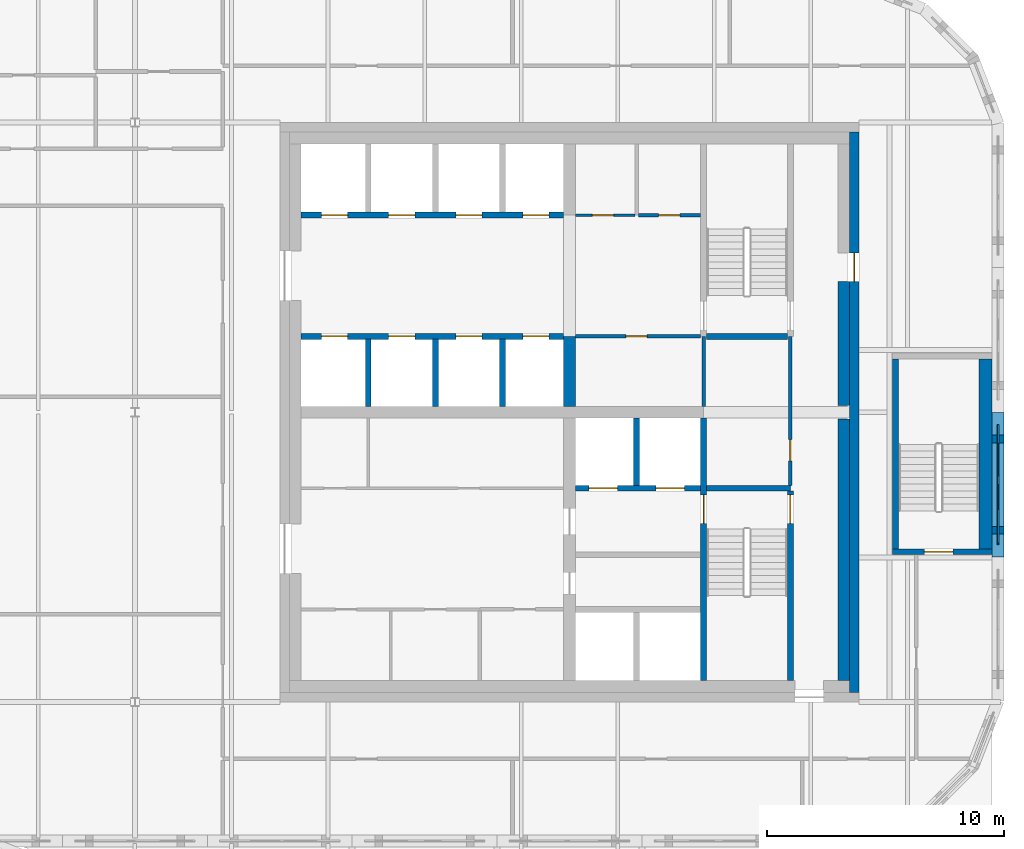
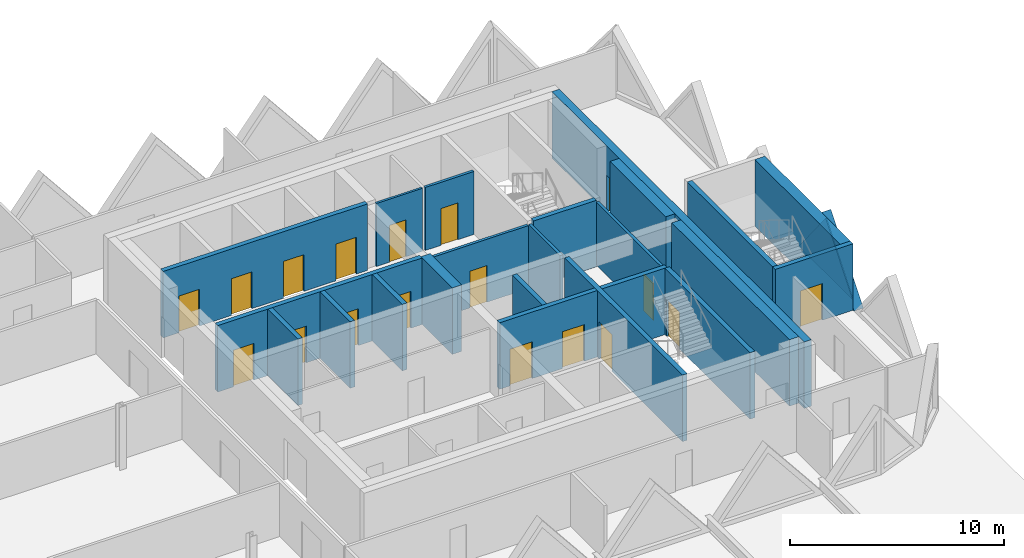
# One storey, part 8 of 12: 24 walls, 18 doors, 1 plate, 19 openings.
"""IFC4 building model written with IfcOpenShell, lengths in metres."""

from ifc_helpers import new_model, si_unit, direction, frame, frame_2d, origin, place, context, subcontext, project, spatial, polyline, rectangle, outline, extrude, source, transform, mapped, material, layer, layer_set, type_object, element, fill, save


model = new_model("IFC4")

# Units and contexts
model_context = context("Model", 3, precision=1e-05, world=origin(), true_north=direction((0.0, 1.0)))
body_context = subcontext(model_context, "Body", "Model", "MODEL_VIEW")
ifc_project = project(units=[si_unit("LENGTHUNIT", "METRE"), si_unit("AREAUNIT", "SQUARE_METRE"), si_unit("VOLUMEUNIT", "CUBIC_METRE"), si_unit("PLANEANGLEUNIT", "RADIAN"), si_unit("MASSUNIT", "GRAM", prefix="KILO")], contexts=[model_context])

# Site, building, storey
site_placement = place(None, origin())
site = spatial("IfcSite", under=ifc_project, at=site_placement, CompositionType="ELEMENT")
building_placement = place(site_placement, origin())
building = spatial("IfcBuilding", under=site, at=building_placement, Name="Tessera Gate Towers", CompositionType="ELEMENT")
storey_placement = place(building_placement, frame((0.0, 0.0, 236.89990234375)))
storey = spatial("IfcBuildingStorey", under=building, at=storey_placement, Name="L59", CompositionType="ELEMENT", Elevation=236.89990234375)

# Wall, openings, doors
ifc_material_1 = material(Name="Concrete C40/50", Category="concrete")
ifc_layer_1 = layer(ifc_material_1, 0.25)
ifc_layer_set_1 = layer_set([ifc_layer_1], Name="CORE ENCLOSURE WALL 250")
wall_type_1 = type_object("IfcWallType", Name="CORE ENCLOSURE WALL 250", PredefinedType="SOLIDWALL", material=ifc_layer_set_1)
wall_1_placement = place(storey_placement, frame((31.39990234375, 39.800048828125, 0.0), z_axis=(0.0, 0.0, 1.0), x_axis=(1.0, 0.0, 0.0)))
wall_1 = element("IfcWall", 1, at=wall_1_placement, inside=storey, type_object=wall_type_1, Name="L59 shaft and stair enclosure wall", PredefinedType="SOLIDWALL", context=body_context, shape_type="SweptSolid", body=[
    extrude(rectangle(XDim=11.050048828125, YDim=0.25, at=frame_2d((5.52490234375, 0.0))), origin(), (0.0, 0.0, 1.0), 3.800048828125),
])
shared_shape_1 = source(origin(), body_context, "Body", "SweptSolid", [
    extrude(rectangle(XDim=1.10009765625, YDim=2.10009765625, at=frame_2d((0.550048828125, 1.050048828125))), frame((0.0, 0.135009765625, 0.0), z_axis=(0.0, -1.0, 0.0), x_axis=(1.0, 0.0, 0.0)), (0.0, 0.0, 1.0), 0.27001953125),
])
opening_1_placement = place(wall_1_placement, frame((0.862548828125, 0.0, 0.0)))
opening_1 = element("IfcOpeningElement", 2, at=opening_1_placement, cuts=wall_1, Name="Opening LD-HR1", PredefinedType="OPENING", context=body_context, shape_type="MappedRepresentation", body=[
    mapped(shared_shape_1, transform((0.0, 0.0, 0.0), scale=1.0)),
])
opening_2_placement = place(wall_1_placement, frame((3.6875, 0.0, 0.0)))
opening_2 = element("IfcOpeningElement", 3, at=opening_2_placement, cuts=wall_1, Name="Opening LD-HR2", PredefinedType="OPENING", context=body_context, shape_type="MappedRepresentation", body=[
    mapped(shared_shape_1, transform((0.0, 0.0, 0.0), scale=1.0)),
])
opening_3_placement = place(wall_1_placement, frame((6.512451171875, 0.0, 0.0)))
opening_3 = element("IfcOpeningElement", 4, at=opening_3_placement, cuts=wall_1, Name="Opening LD-HR3", PredefinedType="OPENING", context=body_context, shape_type="MappedRepresentation", body=[
    mapped(shared_shape_1, transform((0.0, 0.0, 0.0), scale=1.0)),
])
opening_4_placement = place(wall_1_placement, frame((9.33740234375, 0.0, 0.0)))
opening_4 = element("IfcOpeningElement", 5, at=opening_4_placement, cuts=wall_1, Name="Opening LD-HR4", PredefinedType="OPENING", context=body_context, shape_type="MappedRepresentation", body=[
    mapped(shared_shape_1, transform((0.0, 0.0, 0.0), scale=1.0)),
])
ifc_material_2 = material(Name="Stainless steel", Category="steel")
door_type_1 = type_object("IfcDoorType", Name="CORE DOOR LD 1100x2100", OperationType="DOUBLE_DOOR_SLIDING", PredefinedType="DOOR", material=ifc_material_2)
shared_shape_2 = source(origin(), body_context, "Body", "SweptSolid", [
    extrude(rectangle(XDim=1.10009765625, YDim=2.10009765625, at=frame_2d((0.550048828125, 1.050048828125))), frame((0.0, 0.02490234375, 0.0), z_axis=(0.0, -1.0, 0.0), x_axis=(1.0, 0.0, 0.0)), (0.0, 0.0, 1.0), 0.050048828125),
])
door_1_placement = place(opening_1_placement, origin())
door_1 = element("IfcDoor", 6, at=door_1_placement, inside=storey, type_object=door_type_1, Name="Landing door HR1 L59", OperationType="DOUBLE_DOOR_SLIDING", OverallHeight=2.10009765625, OverallWidth=1.10009765625, PredefinedType="DOOR", context=body_context, shape_type="MappedRepresentation", body=[
    mapped(shared_shape_2, transform((0.0, 0.0, 0.0), scale=1.0)),
])
fill(opening_1, door_1)
door_2_placement = place(opening_2_placement, origin())
door_2 = element("IfcDoor", 7, at=door_2_placement, inside=storey, type_object=door_type_1, Name="Landing door HR2 L59", OperationType="DOUBLE_DOOR_SLIDING", OverallHeight=2.10009765625, OverallWidth=1.10009765625, PredefinedType="DOOR", context=body_context, shape_type="MappedRepresentation", body=[
    mapped(shared_shape_2, transform((0.0, 0.0, 0.0), scale=1.0)),
])
fill(opening_2, door_2)
door_3_placement = place(opening_3_placement, origin())
door_3 = element("IfcDoor", 8, at=door_3_placement, inside=storey, type_object=door_type_1, Name="Landing door HR3 L59", OperationType="DOUBLE_DOOR_SLIDING", OverallHeight=2.10009765625, OverallWidth=1.10009765625, PredefinedType="DOOR", context=body_context, shape_type="MappedRepresentation", body=[
    mapped(shared_shape_2, transform((0.0, 0.0, 0.0), scale=1.0)),
])
fill(opening_3, door_3)
door_4_placement = place(opening_4_placement, origin())
door_4 = element("IfcDoor", 9, at=door_4_placement, inside=storey, type_object=door_type_1, Name="Landing door HR4 L59", OperationType="DOUBLE_DOOR_SLIDING", OverallHeight=2.10009765625, OverallWidth=1.10009765625, PredefinedType="DOOR", context=body_context, shape_type="MappedRepresentation", body=[
    mapped(shared_shape_2, transform((0.0, 0.0, 0.0), scale=1.0)),
])
fill(opening_4, door_4)

wall_2_placement = place(storey_placement, frame((42.449951171875, 44.89990234375, 0.0), z_axis=(0.0, 0.0, 1.0), x_axis=(-1.0, 0.0, 0.0)))
wall_2 = element("IfcWall", 10, at=wall_2_placement, inside=storey, type_object=wall_type_1, Name="L59 shaft and stair enclosure wall", PredefinedType="SOLIDWALL", context=body_context, shape_type="SweptSolid", body=[
    extrude(rectangle(XDim=11.050048828125, YDim=0.25, at=frame_2d((5.52490234375, 0.0))), origin(), (0.0, 0.0, 1.0), 3.800048828125),
])
opening_5_placement = place(wall_2_placement, frame((9.08740234375, 0.0, 0.0)))
opening_5 = element("IfcOpeningElement", 11, at=opening_5_placement, cuts=wall_2, Name="Opening LD-HR5", PredefinedType="OPENING", context=body_context, shape_type="MappedRepresentation", body=[
    mapped(shared_shape_1, transform((0.0, 0.0, 0.0), scale=1.0)),
])
opening_6_placement = place(wall_2_placement, frame((6.262451171875, 0.0, 0.0)))
opening_6 = element("IfcOpeningElement", 12, at=opening_6_placement, cuts=wall_2, Name="Opening LD-HR6", PredefinedType="OPENING", context=body_context, shape_type="MappedRepresentation", body=[
    mapped(shared_shape_1, transform((0.0, 0.0, 0.0), scale=1.0)),
])
opening_7_placement = place(wall_2_placement, frame((3.4375, 0.0, 0.0)))
opening_7 = element("IfcOpeningElement", 13, at=opening_7_placement, cuts=wall_2, Name="Opening LD-HR7", PredefinedType="OPENING", context=body_context, shape_type="MappedRepresentation", body=[
    mapped(shared_shape_1, transform((0.0, 0.0, 0.0), scale=1.0)),
])
opening_8_placement = place(wall_2_placement, frame((0.612548828125, 0.0, 0.0)))
opening_8 = element("IfcOpeningElement", 14, at=opening_8_placement, cuts=wall_2, Name="Opening LD-HR8", PredefinedType="OPENING", context=body_context, shape_type="MappedRepresentation", body=[
    mapped(shared_shape_1, transform((0.0, 0.0, 0.0), scale=1.0)),
])
door_5_placement = place(opening_5_placement, origin())
door_5 = element("IfcDoor", 15, at=door_5_placement, inside=storey, type_object=door_type_1, Name="Landing door HR5 L59", OperationType="DOUBLE_DOOR_SLIDING", OverallHeight=2.10009765625, OverallWidth=1.10009765625, PredefinedType="DOOR", context=body_context, shape_type="MappedRepresentation", body=[
    mapped(shared_shape_2, transform((0.0, 0.0, 0.0), scale=1.0)),
])
fill(opening_5, door_5)
door_6_placement = place(opening_6_placement, origin())
door_6 = element("IfcDoor", 16, at=door_6_placement, inside=storey, type_object=door_type_1, Name="Landing door HR6 L59", OperationType="DOUBLE_DOOR_SLIDING", OverallHeight=2.10009765625, OverallWidth=1.10009765625, PredefinedType="DOOR", context=body_context, shape_type="MappedRepresentation", body=[
    mapped(shared_shape_2, transform((0.0, 0.0, 0.0), scale=1.0)),
])
fill(opening_6, door_6)
door_7_placement = place(opening_7_placement, origin())
door_7 = element("IfcDoor", 17, at=door_7_placement, inside=storey, type_object=door_type_1, Name="Landing door HR7 L59", OperationType="DOUBLE_DOOR_SLIDING", OverallHeight=2.10009765625, OverallWidth=1.10009765625, PredefinedType="DOOR", context=body_context, shape_type="MappedRepresentation", body=[
    mapped(shared_shape_2, transform((0.0, 0.0, 0.0), scale=1.0)),
])
fill(opening_7, door_7)
door_8_placement = place(opening_8_placement, origin())
door_8 = element("IfcDoor", 18, at=door_8_placement, inside=storey, type_object=door_type_1, Name="Landing door HR8 L59", OperationType="DOUBLE_DOOR_SLIDING", OverallHeight=2.10009765625, OverallWidth=1.10009765625, PredefinedType="DOOR", context=body_context, shape_type="MappedRepresentation", body=[
    mapped(shared_shape_2, transform((0.0, 0.0, 0.0), scale=1.0)),
])
fill(opening_8, door_8)

# Wall, opening, door
wall_3_placement = place(storey_placement, frame((48.35009765625, 36.35009765625, 0.0), z_axis=(0.0, 0.0, 1.0), x_axis=(0.0, -1.0, 0.0)))
wall_3 = element("IfcWall", 19, at=wall_3_placement, inside=storey, type_object=wall_type_1, Name="L59 shaft and stair enclosure wall", PredefinedType="SOLIDWALL", context=body_context, shape_type="SweptSolid", body=[
    extrude(rectangle(XDim=11.050048828125, YDim=0.25, at=frame_2d((5.52490234375, 0.0))), origin(), (0.0, 0.0, 1.0), 3.800048828125),
])
shared_shape_3 = source(origin(), body_context, "Body", "SweptSolid", [
    extrude(rectangle(XDim=1.199951171875, YDim=2.10009765625, at=frame_2d((0.60009765625, 1.050048828125))), frame((0.0, 0.135009765625, 0.0), z_axis=(0.0, -1.0, 0.0), x_axis=(1.0, 0.0, 0.0)), (0.0, 0.0, 1.0), 0.27001953125),
])
opening_9_placement = place(wall_3_placement, frame((3.22509765625, 0.0, 0.0)))
opening_9 = element("IfcOpeningElement", 20, at=opening_9_placement, cuts=wall_3, Name="Opening SD-ST1-1", PredefinedType="OPENING", context=body_context, shape_type="MappedRepresentation", body=[
    mapped(shared_shape_3, transform((0.0, 0.0, 0.0), scale=1.0)),
])
ifc_material_3 = material(Name="Hollow steel fire door", Category="steel")
door_type_2 = type_object("IfcDoorType", Name="CORE DOOR SD 1200x2100", OperationType="NOTDEFINED", PredefinedType="DOOR", material=ifc_material_3)
shared_shape_4 = source(origin(), body_context, "Body", "SweptSolid", [
    extrude(rectangle(XDim=1.199951171875, YDim=2.10009765625, at=frame_2d((0.60009765625, 1.050048828125))), frame((0.0, 0.02490234375, 0.0), z_axis=(0.0, -1.0, 0.0), x_axis=(1.0, 0.0, 0.0)), (0.0, 0.0, 1.0), 0.050048828125),
])
door_9_placement = place(opening_9_placement, origin())
door_9 = element("IfcDoor", 21, at=door_9_placement, inside=storey, type_object=door_type_2, Name="Stair door", OperationType="SINGLE_SWING_LEFT", OverallHeight=2.10009765625, OverallWidth=1.199951171875, PredefinedType="DOOR", context=body_context, shape_type="MappedRepresentation", body=[
    mapped(shared_shape_4, transform((0.0, 0.0, 0.0), scale=1.0)),
])
fill(opening_9, door_9)

# Wall, openings, doors
wall_4_placement = place(storey_placement, frame((48.22509765625, 33.39990234375, 0.0), z_axis=(0.0, 0.0, 1.0), x_axis=(-1.0, 0.0, 0.0)))
wall_4 = element("IfcWall", 22, at=wall_4_placement, inside=storey, type_object=wall_type_1, Name="L59 shaft and stair enclosure wall", PredefinedType="SOLIDWALL", context=body_context, shape_type="SweptSolid", body=[
    extrude(rectangle(XDim=5.275146484375, YDim=0.25, at=frame_2d((2.6376953125, 0.0))), origin(), (0.0, 0.0, 1.0), 3.800048828125),
])
opening_10_placement = place(wall_4_placement, frame((3.512451171875, 0.0, 0.0)))
opening_10 = element("IfcOpeningElement", 23, at=opening_10_placement, cuts=wall_4, Name="Opening LD-FF1", PredefinedType="OPENING", context=body_context, shape_type="MappedRepresentation", body=[
    mapped(shared_shape_3, transform((0.0, 0.0, 0.0), scale=1.0)),
])
opening_11_placement = place(wall_4_placement, frame((0.6875, 0.0, 0.0)))
opening_11 = element("IfcOpeningElement", 24, at=opening_11_placement, cuts=wall_4, Name="Opening LD-FF2", PredefinedType="OPENING", context=body_context, shape_type="MappedRepresentation", body=[
    mapped(shared_shape_3, transform((0.0, 0.0, 0.0), scale=1.0)),
])
ifc_material_4 = material(Name="Stainless steel", Category="steel")
door_type_3 = type_object("IfcDoorType", Name="CORE DOOR LD1200 1200x2100", OperationType="DOUBLE_DOOR_SLIDING", PredefinedType="DOOR", material=ifc_material_4)
door_10_placement = place(opening_10_placement, origin())
door_10 = element("IfcDoor", 25, at=door_10_placement, inside=storey, type_object=door_type_3, Name="Landing door FF1 L59", OperationType="DOUBLE_DOOR_SLIDING", OverallHeight=2.10009765625, OverallWidth=1.199951171875, PredefinedType="DOOR", context=body_context, shape_type="MappedRepresentation", body=[
    mapped(shared_shape_4, transform((0.0, 0.0, 0.0), scale=1.0)),
])
fill(opening_10, door_10)
door_11_placement = place(opening_11_placement, origin())
door_11 = element("IfcDoor", 26, at=door_11_placement, inside=storey, type_object=door_type_3, Name="Landing door FF2 L59", OperationType="DOUBLE_DOOR_SLIDING", OverallHeight=2.10009765625, OverallWidth=1.199951171875, PredefinedType="DOOR", context=body_context, shape_type="MappedRepresentation", body=[
    mapped(shared_shape_4, transform((0.0, 0.0, 0.0), scale=1.0)),
])
fill(opening_11, door_11)

# Wall
wall_5_placement = place(storey_placement, frame((48.47509765625, 33.39990234375, 0.0), z_axis=(0.0, 0.0, 1.0), x_axis=(1.0, 0.0, 0.0)))
element("IfcWall", 27, at=wall_5_placement, inside=storey, type_object=wall_type_1, Name="L59 shaft and stair enclosure wall", PredefinedType="SOLIDWALL", context=body_context, shape_type="SweptSolid", body=[
    extrude(rectangle(XDim=3.52490234375, YDim=0.25, at=frame_2d((1.762451171875, 0.0))), origin(), (0.0, 0.0, 1.0), 3.800048828125),
])

# Wall, opening, door
wall_6_placement = place(storey_placement, frame((52.0, 25.300048828125, 0.0), z_axis=(0.0, 0.0, 1.0), x_axis=(0.0, 1.0, 0.0)))
wall_6 = element("IfcWall", 28, at=wall_6_placement, inside=storey, type_object=wall_type_1, Name="L59 shaft and stair enclosure wall", PredefinedType="SOLIDWALL", context=body_context, shape_type="SweptSolid", body=[
    extrude(rectangle(XDim=7.974853515625, YDim=0.25, at=frame_2d((3.9873046875, 0.0))), origin(), (0.0, 0.0, 1.0), 3.800048828125),
])
opening_12_placement = place(wall_6_placement, frame((6.625, 0.0, 0.0)))
opening_12 = element("IfcOpeningElement", 29, at=opening_12_placement, cuts=wall_6, Name="Opening SD-ST1-2", PredefinedType="OPENING", context=body_context, shape_type="MappedRepresentation", body=[
    mapped(shared_shape_3, transform((0.0, 0.0, 0.0), scale=1.0)),
])
door_12_placement = place(opening_12_placement, origin())
door_12 = element("IfcDoor", 30, at=door_12_placement, inside=storey, type_object=door_type_2, Name="Stair door", OperationType="SINGLE_SWING_RIGHT", OverallHeight=2.10009765625, OverallWidth=1.199951171875, PredefinedType="DOOR", context=body_context, shape_type="MappedRepresentation", body=[
    mapped(shared_shape_4, transform((0.0, 0.0, 0.0), scale=1.0)),
])
fill(opening_12, door_12)

# Walls
wall_7_placement = place(storey_placement, frame((48.47509765625, 39.800048828125, 0.0), z_axis=(0.0, 0.0, 1.0), x_axis=(1.0, 0.0, 0.0)))
element("IfcWall", 31, at=wall_7_placement, inside=storey, type_object=wall_type_1, Name="L59 shaft and stair enclosure wall", PredefinedType="SOLIDWALL", context=body_context, shape_type="SweptSolid", body=[
    extrude(rectangle(XDim=3.39990234375, YDim=0.25, at=frame_2d((1.699951171875, 0.0))), origin(), (0.0, 0.0, 1.0), 3.800048828125),
])
for number, where, z_axis, x_axis, name in (
    (32, (34.22509765625, 36.85009765625, 0.0), (0.0, 0.0, 1.0), (0.0, 1.0, 0.0), "L59 shaft and stair enclosure wall"),
    (33, (37.050048828125, 36.85009765625, 0.0), (0.0, 0.0, 1.0), (0.0, 1.0, 0.0), "L59 shaft and stair enclosure wall"),
    (34, (39.875, 36.85009765625, 0.0), (0.0, 0.0, 1.0), (0.0, 1.0, 0.0), "L59 shaft and stair enclosure wall"),
):
    element("IfcWall", number, at=place(storey_placement, frame(where, z_axis=z_axis, x_axis=x_axis)), inside=storey, type_object=wall_type_1, Name=name, PredefinedType="SOLIDWALL", context=body_context, shape_type="SweptSolid", body=[
        extrude(rectangle(XDim=2.824951171875, YDim=0.25, at=frame_2d((1.41259765625, 0.0))), origin(), (0.0, 0.0, 1.0), 3.800048828125),
    ])
wall_8_placement = place(storey_placement, frame((45.52490234375, 33.52490234375, 0.0), z_axis=(0.0, 0.0, 1.0), x_axis=(0.0, 1.0, 0.0)))
element("IfcWall", 35, at=wall_8_placement, inside=storey, type_object=wall_type_1, Name="L59 shaft and stair enclosure wall", PredefinedType="SOLIDWALL", context=body_context, shape_type="SweptSolid", body=[
    extrude(rectangle(XDim=2.8251953125, YDim=0.25, at=frame_2d((1.41259765625, 0.0))), origin(), (0.0, 0.0, 1.0), 3.800048828125),
])

# Wall, opening, door
wall_9_placement = place(storey_placement, frame((60.5, 30.72509765625, 0.0), z_axis=(0.0, 0.0, 1.0), x_axis=(-1.0, 0.0, 0.0)))
wall_9 = element("IfcWall", 36, at=wall_9_placement, inside=storey, type_object=wall_type_1, Name="L59 ST5 enclosure wall", PredefinedType="SOLIDWALL", context=body_context, shape_type="SweptSolid", body=[
    extrude(rectangle(XDim=4.199951171875, YDim=0.25, at=frame_2d((2.10009765625, 0.0))), origin(), (0.0, 0.0, 1.0), 3.800048828125),
])
opening_13_placement = place(wall_9_placement, frame((1.64990234375, 0.0, 0.0)))
opening_13 = element("IfcOpeningElement", 37, at=opening_13_placement, cuts=wall_9, Name="Opening SD-ST5-1", PredefinedType="OPENING", context=body_context, shape_type="MappedRepresentation", body=[
    mapped(shared_shape_3, transform((0.0, 0.0, 0.0), scale=1.0)),
])
door_13_placement = place(opening_13_placement, origin())
door_13 = element("IfcDoor", 38, at=door_13_placement, inside=storey, type_object=door_type_2, Name="Stair door", OperationType="SINGLE_SWING_RIGHT", OverallHeight=2.10009765625, OverallWidth=1.199951171875, PredefinedType="DOOR", context=body_context, shape_type="MappedRepresentation", body=[
    mapped(shared_shape_4, transform((0.0, 0.0, 0.0), scale=1.0)),
])
fill(opening_13, door_13)

# Walls
wall_10_placement = place(storey_placement, frame((56.425048828125, 30.85009765625, 0.0), z_axis=(0.0, 0.0, 1.0), x_axis=(0.0, 1.0, 0.0)))
element("IfcWall", 39, at=wall_10_placement, inside=storey, type_object=wall_type_1, Name="L59 ST5 enclosure wall", PredefinedType="SOLIDWALL", context=body_context, shape_type="SweptSolid", body=[
    extrude(rectangle(XDim=8.0, YDim=0.25, at=frame_2d((4.0, 0.0))), origin(), (0.0, 0.0, 1.0), 3.800048828125),
])
ifc_material_5 = material(Name="Concrete C40/50", Category="concrete")
ifc_layer_2 = layer(ifc_material_5, 0.550048828125)
ifc_layer_set_2 = layer_set([ifc_layer_2], Name="CORE ENCLOSURE WALL 550")
wall_type_2 = type_object("IfcWallType", Name="CORE ENCLOSURE WALL 550", PredefinedType="SOLIDWALL", material=ifc_layer_set_2)
wall_11_placement = place(storey_placement, frame((60.22509765625, 38.85009765625, 0.0), z_axis=(0.0, 0.0, 1.0), x_axis=(0.0, -1.0, 0.0)))
element("IfcWall", 40, at=wall_11_placement, inside=storey, type_object=wall_type_2, Name="L59 ST5 enclosure wall", PredefinedType="SOLIDWALL", context=body_context, shape_type="SweptSolid", body=[
    extrude(rectangle(XDim=8.0, YDim=0.550048828125, at=frame_2d((4.0, 0.0))), origin(), (0.0, 0.0, 1.0), 3.800048828125),
])

# Wall, opening, door
ifc_material_6 = material(Name="Gypsum board on steel studs", Category="steel")
ifc_layer_3 = layer(ifc_material_6, 0.1201171875)
ifc_layer_set_3 = layer_set([ifc_layer_3], Name="CORE PARTITION 120")
wall_type_3 = type_object("IfcWallType", Name="CORE PARTITION 120", PredefinedType="PARTITIONING", material=ifc_layer_set_3)
wall_12_placement = place(storey_placement, frame((42.949951171875, 44.89990234375, 0.0), z_axis=(0.0, 0.0, 1.0), x_axis=(1.0, 0.0, 0.0)))
wall_12 = element("IfcWall", 41, at=wall_12_placement, inside=storey, type_object=wall_type_3, Name="L59 core partition", PredefinedType="PARTITIONING", context=body_context, shape_type="SweptSolid", body=[
    extrude(rectangle(XDim=2.5, YDim=0.1201171875, at=frame_2d((1.25, 0.0))), origin(), (0.0, 0.0, 1.0), 3.60009765625),
])
shared_shape_5 = source(origin(), body_context, "Body", "SweptSolid", [
    extrude(rectangle(XDim=0.89990234375, YDim=2.10009765625, at=frame_2d((0.449951171875, 1.050048828125))), frame((0.0, 0.070068359375, 0.0), z_axis=(0.0, -1.0, 0.0), x_axis=(1.0, 0.0, 0.0)), (0.0, 0.0, 1.0), 0.14013671875),
])
opening_14_placement = place(wall_12_placement, frame((0.71240234375, 0.0, 0.0)))
opening_14 = element("IfcOpeningElement", 42, at=opening_14_placement, cuts=wall_12, Name="Opening RD-T1-36-14", PredefinedType="OPENING", context=body_context, shape_type="MappedRepresentation", body=[
    mapped(shared_shape_5, transform((0.0, 0.0, 0.0), scale=1.0)),
])
ifc_material_7 = material(Name="Hollow steel fire door", Category="steel")
door_type_4 = type_object("IfcDoorType", Name="CORE DOOR RD 900x2100", OperationType="NOTDEFINED", PredefinedType="DOOR", material=ifc_material_7)
shared_shape_6 = source(origin(), body_context, "Body", "SweptSolid", [
    extrude(rectangle(XDim=0.89990234375, YDim=2.10009765625, at=frame_2d((0.449951171875, 1.050048828125))), frame((0.0, 0.02490234375, 0.0), z_axis=(0.0, -1.0, 0.0), x_axis=(1.0, 0.0, 0.0)), (0.0, 0.0, 1.0), 0.050048828125),
])
door_14_placement = place(opening_14_placement, origin())
door_14 = element("IfcDoor", 43, at=door_14_placement, inside=storey, type_object=door_type_4, Name="Core room door", OperationType="SINGLE_SWING_LEFT", OverallHeight=2.10009765625, OverallWidth=0.89990234375, PredefinedType="DOOR", context=body_context, shape_type="MappedRepresentation", body=[
    mapped(shared_shape_6, transform((0.0, 0.0, 0.0), scale=1.0)),
])
fill(opening_14, door_14)

ifc_material_8 = material(Name="Concrete C40/50", Category="concrete")
ifc_layer_4 = layer(ifc_material_8, 0.39990234375)
ifc_layer_set_4 = layer_set([ifc_layer_4], Name="CORE SHEAR WALL 400 C40/50")
wall_type_4 = type_object("IfcWallType", Name="CORE SHEAR WALL 400 C40/50", PredefinedType="SHEAR", material=ifc_layer_set_4)
wall_13_placement = place(storey_placement, frame((54.699951171875, 48.39990234375, 0.0), z_axis=(0.0, 0.0, 1.0), x_axis=(0.0, -1.0, 0.0)))
wall_13 = element("IfcWall", 44, at=wall_13_placement, inside=storey, type_object=wall_type_4, Name="Core wall E L59", PredefinedType="SHEAR", context=body_context, shape_type="SweptSolid", body=[
    extrude(rectangle(XDim=23.599853515625, YDim=0.39990234375, at=frame_2d((11.7998046875, 0.0))), origin(), (0.0, 0.0, 1.0), 3.800048828125),
])
shared_shape_7 = source(origin(), body_context, "Body", "SweptSolid", [
    extrude(rectangle(XDim=1.199951171875, YDim=2.10009765625, at=frame_2d((0.60009765625, 1.050048828125))), frame((0.0, 0.2099609375, 0.0), z_axis=(0.0, -1.0, 0.0), x_axis=(1.0, 0.0, 0.0)), (0.0, 0.0, 1.0), 0.419921875),
])
opening_15_placement = place(wall_13_placement, frame((5.10009765625, 0.0, 0.0)))
opening_15 = element("IfcOpeningElement", 45, at=opening_15_placement, cuts=wall_13, Name="Opening ED-T1-36-04", PredefinedType="OPENING", context=body_context, shape_type="MappedRepresentation", body=[
    mapped(shared_shape_7, transform((0.0, 0.0, 0.0), scale=1.0)),
])
ifc_material_9 = material(Name="Hollow steel fire door", Category="steel")
door_type_5 = type_object("IfcDoorType", Name="CORE DOOR ED 1200x2100", OperationType="NOTDEFINED", PredefinedType="DOOR", material=ifc_material_9)
door_15_placement = place(opening_15_placement, origin())
door_15 = element("IfcDoor", 46, at=door_15_placement, inside=storey, type_object=door_type_5, Name="Core exit door", OperationType="SINGLE_SWING_LEFT", OverallHeight=2.10009765625, OverallWidth=1.199951171875, PredefinedType="DOOR", context=body_context, shape_type="MappedRepresentation", body=[
    mapped(shared_shape_4, transform((0.0, 0.0, 0.0), scale=1.0)),
])
fill(opening_15, door_15)

# Walls
ifc_material_10 = material(Name="Concrete C40/50", Category="concrete")
ifc_layer_5 = layer(ifc_material_10, 0.5)
ifc_layer_set_5 = layer_set([ifc_layer_5], Name="CORE SPINE WALL 500 C40/50")
wall_type_5 = type_object("IfcWallType", Name="CORE SPINE WALL 500 C40/50", PredefinedType="SHEAR", material=ifc_layer_set_5)
wall_14_placement = place(storey_placement, frame((42.699951171875, 36.85009765625, 0.0), z_axis=(0.0, 0.0, 1.0), x_axis=(0.0, 1.0, 0.0)))
element("IfcWall", 47, at=wall_14_placement, inside=storey, type_object=wall_type_5, Name="Core wall spine L59", PredefinedType="SHEAR", context=body_context, shape_type="SweptSolid", body=[
    extrude(rectangle(XDim=2.949951171875, YDim=0.5, at=frame_2d((1.47509765625, 0.0))), origin(), (0.0, 0.0, 1.0), 3.800048828125),
])
ifc_material_11 = material(Name="Concrete C40/50", Category="concrete")
ifc_layer_6 = layer(ifc_material_11, 0.5)
ifc_layer_set_6 = layer_set([ifc_layer_6], Name="CORE WALL THICKENING 500")
wall_type_6 = type_object("IfcWallType", Name="CORE WALL THICKENING 500", PredefinedType="SOLIDWALL", material=ifc_layer_set_6)
wall_15_placement = place(storey_placement, frame((54.25, 25.300048828125, 0.0), z_axis=(0.0, 0.0, 1.0), x_axis=(0.0, 1.0, 0.0)))
element("IfcWall", 48, at=wall_15_placement, inside=storey, type_object=wall_type_6, Name="Core wall thickening E L59", PredefinedType="SOLIDWALL", context=body_context, shape_type="SweptSolid", body=[
    extrude(rectangle(XDim=11.02001953125, YDim=0.5, at=frame_2d((5.510009765625, 0.0))), origin(), (0.0, 0.0, 1.0), 3.800048828125),
])
wall_16_placement = place(storey_placement, frame((54.25, 36.8798828125, 0.0), z_axis=(0.0, 0.0, 1.0), x_axis=(0.0, 1.0, 0.0)))
element("IfcWall", 49, at=wall_16_placement, inside=storey, type_object=wall_type_6, Name="Core wall thickening E L59", PredefinedType="SOLIDWALL", context=body_context, shape_type="SweptSolid", body=[
    extrude(rectangle(XDim=5.22021484375, YDim=0.5, at=frame_2d((2.610107421875, 0.0))), origin(), (0.0, 0.0, 1.0), 3.800048828125),
])

# Wall, opening, door
ifc_material_12 = material(Name="Gypsum board on steel studs", Category="steel")
ifc_layer_7 = layer(ifc_material_12, 0.14990234375)
ifc_layer_set_7 = layer_set([ifc_layer_7], Name="SERVICE ROOM WALL 150")
wall_type_7 = type_object("IfcWallType", Name="SERVICE ROOM WALL 150", PredefinedType="PARTITIONING", material=ifc_layer_set_7)
wall_17_placement = place(storey_placement, frame((52.0, 33.52490234375, 0.0), z_axis=(0.0, 0.0, 1.0), x_axis=(0.0, 1.0, 0.0)))
wall_17 = element("IfcWall", 50, at=wall_17_placement, inside=storey, type_object=wall_type_7, Name="L59 service room wall", PredefinedType="PARTITIONING", context=body_context, shape_type="SweptSolid", body=[
    extrude(rectangle(XDim=6.275146484375, YDim=0.14990234375, at=frame_2d((3.1376953125, 0.0))), origin(), (0.0, 0.0, 1.0), 3.60009765625),
])
shared_shape_8 = source(origin(), body_context, "Body", "SweptSolid", [
    extrude(rectangle(XDim=0.89990234375, YDim=2.10009765625, at=frame_2d((0.449951171875, 1.050048828125))), frame((0.0, 0.0849609375, 0.0), z_axis=(0.0, -1.0, 0.0), x_axis=(1.0, 0.0, 0.0)), (0.0, 0.0, 1.0), 0.169921875),
])
opening_16_placement = place(wall_17_placement, frame((1.02490234375, 0.0, 0.0)))
opening_16 = element("IfcOpeningElement", 51, at=opening_16_placement, cuts=wall_17, Name="Opening RD-T1-36-11", PredefinedType="OPENING", context=body_context, shape_type="MappedRepresentation", body=[
    mapped(shared_shape_8, transform((0.0, 0.0, 0.0), scale=1.0)),
])
door_16_placement = place(opening_16_placement, origin())
door_16 = element("IfcDoor", 52, at=door_16_placement, inside=storey, type_object=door_type_4, Name="Core room door", OperationType="SINGLE_SWING_LEFT", OverallHeight=2.10009765625, OverallWidth=0.89990234375, PredefinedType="DOOR", context=body_context, shape_type="MappedRepresentation", body=[
    mapped(shared_shape_6, transform((0.0, 0.0, 0.0), scale=1.0)),
])
fill(opening_16, door_16)

wall_18_placement = place(storey_placement, frame((48.22509765625, 39.800048828125, 0.0), z_axis=(0.0, 0.0, 1.0), x_axis=(-1.0, 0.0, 0.0)))
wall_18 = element("IfcWall", 53, at=wall_18_placement, inside=storey, type_object=wall_type_7, Name="L59 service room wall", PredefinedType="PARTITIONING", context=body_context, shape_type="SweptSolid", body=[
    extrude(rectangle(XDim=5.275146484375, YDim=0.14990234375, at=frame_2d((2.6376953125, 0.0))), origin(), (0.0, 0.0, 1.0), 3.60009765625),
])
opening_17_placement = place(wall_18_placement, frame((2.25, 0.0, 0.0)))
opening_17 = element("IfcOpeningElement", 54, at=opening_17_placement, cuts=wall_18, Name="Opening RD-T1-36-12", PredefinedType="OPENING", context=body_context, shape_type="MappedRepresentation", body=[
    mapped(shared_shape_8, transform((0.0, 0.0, 0.0), scale=1.0)),
])
door_17_placement = place(opening_17_placement, origin())
door_17 = element("IfcDoor", 55, at=door_17_placement, inside=storey, type_object=door_type_4, Name="Core room door", OperationType="SINGLE_SWING_RIGHT", OverallHeight=2.10009765625, OverallWidth=0.89990234375, PredefinedType="DOOR", context=body_context, shape_type="MappedRepresentation", body=[
    mapped(shared_shape_6, transform((0.0, 0.0, 0.0), scale=1.0)),
])
fill(opening_17, door_17)

# Wall
wall_19_placement = place(storey_placement, frame((48.35009765625, 36.85009765625, 0.0), z_axis=(0.0, 0.0, 1.0), x_axis=(0.0, 1.0, 0.0)))
element("IfcWall", 56, at=wall_19_placement, inside=storey, type_object=wall_type_7, Name="L59 service room wall", PredefinedType="PARTITIONING", context=body_context, shape_type="SweptSolid", body=[
    extrude(rectangle(XDim=2.949951171875, YDim=0.14990234375, at=frame_2d((1.47509765625, 0.0))), origin(), (0.0, 0.0, 1.0), 3.60009765625),
])

# Wall, opening, door
wall_20_placement = place(storey_placement, frame((45.60009765625, 44.89990234375, 0.0), z_axis=(0.0, 0.0, 1.0), x_axis=(1.0, 0.0, 0.0)))
wall_20 = element("IfcWall", 57, at=wall_20_placement, inside=storey, type_object=wall_type_7, Name="L59 service room wall", PredefinedType="PARTITIONING", context=body_context, shape_type="SweptSolid", body=[
    extrude(rectangle(XDim=2.625, YDim=0.14990234375, at=frame_2d((1.3125, 0.0))), origin(), (0.0, 0.0, 1.0), 3.60009765625),
])
opening_18_placement = place(wall_20_placement, frame((0.85009765625, 0.0, 0.0)))
opening_18 = element("IfcOpeningElement", 58, at=opening_18_placement, cuts=wall_20, Name="Opening RD-T1-36-15", PredefinedType="OPENING", context=body_context, shape_type="MappedRepresentation", body=[
    mapped(shared_shape_8, transform((0.0, 0.0, 0.0), scale=1.0)),
])
door_18_placement = place(opening_18_placement, origin())
door_18 = element("IfcDoor", 59, at=door_18_placement, inside=storey, type_object=door_type_4, Name="Core room door", OperationType="SINGLE_SWING_LEFT", OverallHeight=2.10009765625, OverallWidth=0.89990234375, PredefinedType="DOOR", context=body_context, shape_type="MappedRepresentation", body=[
    mapped(shared_shape_6, transform((0.0, 0.0, 0.0), scale=1.0)),
])
fill(opening_18, door_18)

# Wall, opening, plate
ifc_material_13 = material(Name="Precast concrete C60/75 white", Category="concrete")
ifc_layer_8 = layer(ifc_material_13, 0.5)
ifc_layer_set_8 = layer_set([ifc_layer_8], Name="TS2 half tessera")
wall_type_8 = type_object("IfcWallType", Name="TS2 half tessera", PredefinedType="SOLIDWALL", material=ifc_layer_set_8)
shared_shape_9 = source(origin(), body_context, "Body", "SweptSolid", [
    extrude(outline(polyline([(6.10009765625, 0.0), (3.050048828125, 3.800048828125), (0.0, 0.0), (6.10009765625, 0.0)])), frame((0.0, 0.25, 0.0), z_axis=(0.0, -1.0, 0.0), x_axis=(1.0, 0.0, 0.0)), (0.0, 0.0, 1.0), 0.5),
])
wall_21_placement = place(storey_placement, frame((60.75, 30.5, 0.0), z_axis=(0.0, 0.0, 1.0), x_axis=(0.0, 1.0, 0.0)))
wall_21 = element("IfcWall", 60, at=wall_21_placement, inside=storey, type_object=wall_type_8, Name="Precast half tessera T1 TS2-0284", PredefinedType="SOLIDWALL", context=body_context, shape_type="MappedRepresentation", body=[
    mapped(shared_shape_9, transform((0.0, 0.0, 0.0), scale=1.0)),
])
shared_shape_10 = source(origin(), body_context, "Body", "SweptSolid", [
    extrude(outline(polyline([(5.578857421875, 0.25), (3.050048828125, 3.400634765625), (0.521240234375, 0.25), (5.578857421875, 0.25)])), frame((0.0, 0.260009765625, 0.0), z_axis=(0.0, -1.0, 0.0), x_axis=(1.0, 0.0, 0.0)), (0.0, 0.0, 1.0), 0.52001953125),
])
opening_19_placement = place(wall_21_placement, origin())
opening_19 = element("IfcOpeningElement", 61, at=opening_19_placement, cuts=wall_21, Name="Opening T1-PL1-0584", PredefinedType="OPENING", context=body_context, shape_type="MappedRepresentation", body=[
    mapped(shared_shape_10, transform((0.0, 0.0, 0.0), scale=1.0)),
])
ifc_material_14 = material(Name="Low-e laminated glass", Category="glass")
ifc_layer_9 = layer(ifc_material_14, 0.06005859375)
ifc_layer_set_9 = layer_set([ifc_layer_9], Name="PL1 triangular pane")
plate_type = type_object("IfcPlateType", Name="PL1 triangular pane", PredefinedType="SHEET", material=ifc_layer_set_9)
shared_shape_11 = source(origin(), body_context, "Body", "SweptSolid", [
    extrude(outline(polyline([(5.578857421875, 0.25), (3.050048828125, 3.400634765625), (0.521240234375, 0.25), (5.578857421875, 0.25)])), frame((0.0, 0.030029296875, 0.0), z_axis=(0.0, -1.0, 0.0), x_axis=(1.0, 0.0, 0.0)), (0.0, 0.0, 1.0), 0.06005859375),
])
plate_placement = place(opening_19_placement, origin())
plate = element("IfcPlate", 62, at=plate_placement, inside=storey, type_object=plate_type, Name="Glass pane T1 PL1-0584", PredefinedType="SHEET", context=body_context, shape_type="MappedRepresentation", body=[
    mapped(shared_shape_11, transform((0.0, 0.0, 0.0), scale=1.0)),
])
fill(opening_19, plate)

save(model, "model.ifc")
